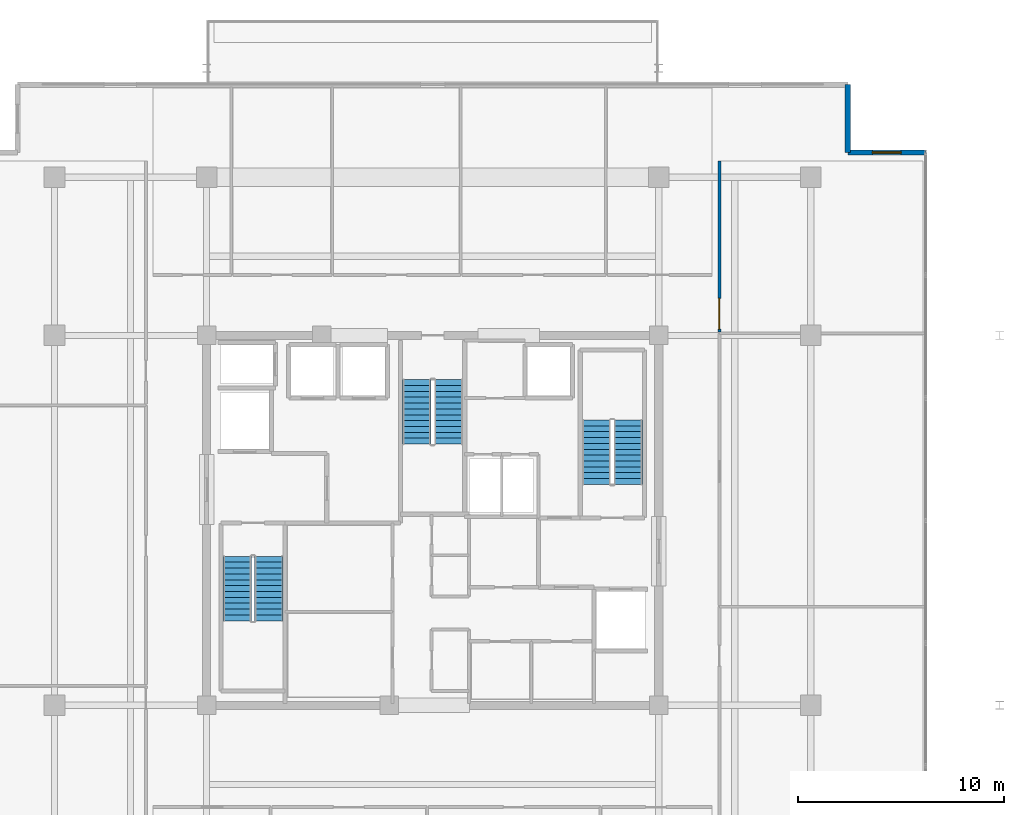
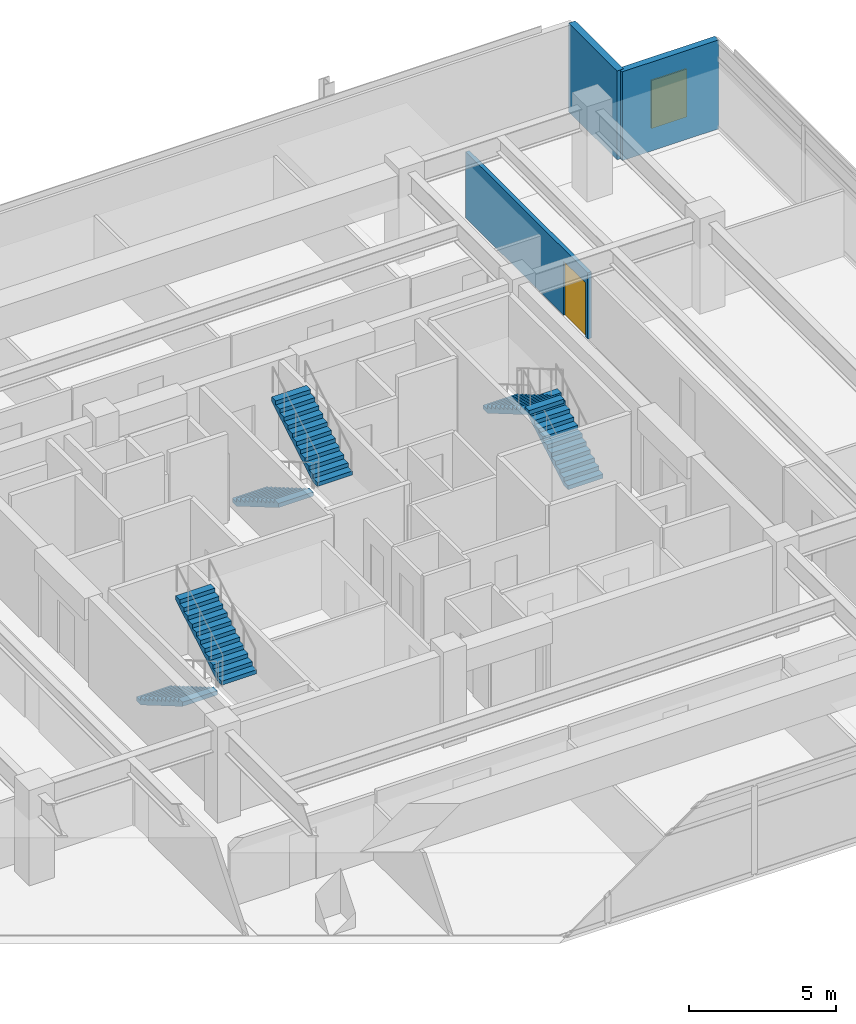
# One storey, part 14 of 18: 6 stair flights, 3 walls, 1 door, 1 window, 2 openings, 3 elements without a shape of their own.
"""IFC4 building model written with IfcOpenShell, lengths in metres."""

from ifc_helpers import new_model, si_unit, direction, frame, frame_2d, origin, place, context, subcontext, project, spatial, polyline, rectangle, outline, extrude, material, layer, layer_set, type_object, element, fill, aggregate, save


model = new_model("IFC4")

# Units and contexts
model_context = context("Model", 3, precision=1e-05, world=origin(), true_north=direction((0.0, 1.0)))
body_context = subcontext(model_context, "Body", "Model", "MODEL_VIEW")
ifc_project = project(units=[si_unit("LENGTHUNIT", "METRE"), si_unit("AREAUNIT", "SQUARE_METRE"), si_unit("VOLUMEUNIT", "CUBIC_METRE"), si_unit("PLANEANGLEUNIT", "RADIAN"), si_unit("MASSUNIT", "GRAM", prefix="KILO")], contexts=[model_context])

# Site, building, storey
site_placement = place(None, origin())
site = spatial("IfcSite", under=ifc_project, at=site_placement, CompositionType="ELEMENT")
building_placement = place(site_placement, origin())
building = spatial("IfcBuilding", under=site, at=building_placement, Name="Kovane Verandah Tower", CompositionType="ELEMENT")
storey_placement = place(building_placement, frame((0.0, 0.0, 338.800048828125)))
storey = spatial("IfcBuildingStorey", under=building, at=storey_placement, Name="L79", CompositionType="ELEMENT", Elevation=338.800048828125)

# Wall, opening, door
ifc_material_1 = material(Name="Fire-Rated Gypsum Stud Partition", Category="gypsum")
ifc_layer_1 = layer(ifc_material_1, 0.14990234375)
ifc_layer_set_1 = layer_set([ifc_layer_1], Name="Fire-Rated Gypsum Stud Partition")
wall_type_1 = type_object("IfcWallType", Name="WL-COR-150", PredefinedType="PARTITIONING", material=ifc_layer_set_1)
wall_1_placement = place(storey_placement, frame((53.949951171875, 36.669921875, 0.0), z_axis=(0.0, 0.0, 1.0), x_axis=(0.0, 1.0, 0.0)))
wall_1 = element("IfcWall", 1, at=wall_1_placement, inside=storey, type_object=wall_type_1, Name="L79 Client Boardroom E3 Corridor Partition", PredefinedType="PARTITIONING", context=body_context, shape_type="SweptSolid", body=[
    extrude(rectangle(XDim=8.330078125, YDim=0.14990234375, at=frame_2d((4.1650390625, 0.0))), origin(), (0.0, 0.0, 1.0), 2.75341796875),
])
opening_1_placement = place(wall_1_placement, frame((0.139892578125, 0.0, 0.0)))
opening_1 = element("IfcOpeningElement", 2, at=opening_1_placement, cuts=wall_1, Name="Opening DR-L79-013", PredefinedType="OPENING", context=body_context, shape_type="SweptSolid", body=[
    extrude(rectangle(XDim=1.5, YDim=2.25, at=frame_2d((0.75, 1.125))), frame((0.0, 0.074951171875, 0.0), z_axis=(0.0, -1.0, 0.0), x_axis=(1.0, 0.0, 0.0)), (0.0, 0.0, 1.0), 0.14990234375),
])
ifc_material_2 = material(Name="Glazed Timber Fire-Rated Double Door", Category="wood")
door_type = type_object("IfcDoorType", Name="DR-CONF-1500", OperationType="DOUBLE_DOOR_SINGLE_SWING", PredefinedType="DOOR", material=ifc_material_2)
door_placement = place(opening_1_placement, origin())
door = element("IfcDoor", 3, at=door_placement, inside=storey, type_object=door_type, Name="L79 Client Boardroom E3 Entrance Door", OperationType="DOUBLE_DOOR_SINGLE_SWING", OverallHeight=2.25, OverallWidth=1.5, PredefinedType="DOOR", context=body_context, shape_type="SweptSolid", body=[
    extrude(rectangle(XDim=1.5, YDim=2.25, at=frame_2d((0.75, 1.125))), frame((0.0, 0.02490234375, 0.0), z_axis=(0.0, -1.0, 0.0), x_axis=(1.0, 0.0, 0.0)), (0.0, 0.0, 1.0), 0.050048828125),
])
fill(opening_1, door)

# Wall, opening, window
ifc_material_3 = material(Name="Concrete C45/55 Insulated Spandrel Wall", Category="concrete")
ifc_layer_2 = layer(ifc_material_3, 0.260009765625)
ifc_layer_set_2 = layer_set([ifc_layer_2], Name="Concrete C45/55 Insulated Spandrel Wall")
wall_type_2 = type_object("IfcWallType", Name="WL-SPANDREL-260", PredefinedType="PARAPET", material=ifc_layer_set_2)
wall_2_placement = place(storey_placement, frame((64.0, 45.39990234375, 0.0), z_axis=(0.0, 0.0, 1.0), x_axis=(-1.0, 0.0, 0.0)))
wall_2 = element("IfcWall", 4, at=wall_2_placement, inside=storey, type_object=wall_type_2, Name="L79 NE Notch Cheek Wall 1", PredefinedType="PARAPET", context=body_context, shape_type="SweptSolid", body=[
    extrude(rectangle(XDim=3.800048828125, YDim=0.260009765625, at=frame_2d((1.89990234375, 0.0))), origin(), (0.0, 0.0, 1.0), 3.699951171875),
])
opening_2_placement = place(wall_2_placement, frame((1.199951171875, 0.0, 0.85009765625)))
opening_2 = element("IfcOpeningElement", 5, at=opening_2_placement, cuts=wall_2, Name="Opening W-01", PredefinedType="OPENING", context=body_context, shape_type="SweptSolid", body=[
    extrude(rectangle(XDim=1.39990234375, YDim=2.0, at=frame_2d((0.699951171875, 1.0))), frame((0.0, 0.1298828125, 0.0), z_axis=(0.0, -1.0, 0.0), x_axis=(1.0, 0.0, 0.0)), (0.0, 0.0, 1.0), 0.260009765625),
])
ifc_material_4 = material(Name="Clear Low-E Laminated Double Glazing in Anodised Frame", Category="glass")
window_type = type_object("IfcWindowType", Name="WN-OPER-1400x2000", PartitioningType="SINGLE_PANEL", PredefinedType="WINDOW", material=ifc_material_4)
window_placement = place(opening_2_placement, origin())
window = element("IfcWindow", 6, at=window_placement, inside=storey, type_object=window_type, Name="L79 NE Re-Entrant Corner Operable Window", OverallHeight=2.0, OverallWidth=1.39990234375, PartitioningType="SINGLE_PANEL", PredefinedType="WINDOW", context=body_context, shape_type="SweptSolid", body=[
    extrude(rectangle(XDim=1.39990234375, YDim=2.0, at=frame_2d((0.699951171875, 1.0))), frame((0.0, 0.030029296875, 0.0), z_axis=(0.0, -1.0, 0.0), x_axis=(1.0, 0.0, 0.0)), (0.0, 0.0, 1.0), 0.06005859375),
])
fill(opening_2, window)

# Wall
wall_3_placement = place(storey_placement, frame((60.199951171875, 45.39990234375, 0.0), z_axis=(0.0, 0.0, 1.0), x_axis=(0.0, 1.0, 0.0)))
element("IfcWall", 7, at=wall_3_placement, inside=storey, type_object=wall_type_2, Name="L79 NE Notch Cheek Wall 2", PredefinedType="PARAPET", context=body_context, shape_type="SweptSolid", body=[
    extrude(rectangle(XDim=3.300048828125, YDim=0.260009765625, at=frame_2d((1.64990234375, 0.0))), origin(), (0.0, 0.0, 1.0), 3.699951171875),
])

# Stair, stair flights
ifc_material_5 = material(Name="Concrete C45/55", Category="concrete")
stair_type = type_object("IfcStairType", Name="ST-CORE-1380", PredefinedType="HALF_TURN_STAIR", material=ifc_material_5)
stair_1_placement = place(storey_placement, origin())
stair_1 = element("IfcStair", 8, at=stair_1_placement, inside=storey, type_object=stair_type, Name="L79 Exit Stair ST-01", PredefinedType="HALF_TURN_STAIR")
stair_flight_type = type_object("IfcStairFlightType", Name="STF-CORE-1380", PredefinedType="STRAIGHT", material=ifc_material_5)
stair_flight_1_placement = place(storey_placement, frame((30.489990234375, 25.75, 0.0), z_axis=(0.0, 0.0, 1.0), x_axis=(0.0, -1.0, 0.0)))
stair_flight_1 = element("IfcStairFlight", 9, at=stair_flight_1_placement, type_object=stair_flight_type, Name="ST-01 flight 1", NumberOfRisers=12, NumberOfTreads=11, PredefinedType="STRAIGHT", RiserHeight=0.166666667, TreadLength=0.285, context=body_context, shape_type="SweptSolid", body=[
    extrude(outline(polyline([(0.0, 0.0), (0.0, 0.166748046875), (0.284912109375, 0.166748046875), (0.284912109375, 0.333251953125), (0.570068359375, 0.333251953125), (0.570068359375, 0.5), (0.85498046875, 0.5), (0.85498046875, 0.666748046875), (1.139892578125, 0.666748046875), (1.139892578125, 0.833251953125), (1.425048828125, 0.833251953125), (1.425048828125, 1.0), (1.7099609375, 1.0), (1.7099609375, 1.166748046875), (1.9951171875, 1.166748046875), (1.9951171875, 1.333251953125), (2.280029296875, 1.333251953125), (2.280029296875, 1.5), (2.56494140625, 1.5), (2.56494140625, 1.666748046875), (2.85009765625, 1.666748046875), (2.85009765625, 1.833251953125), (3.135009765625, 1.833251953125), (3.135009765625, 2.0), (3.135009765625, 1.65966796875), (0.296875, 0.0), (0.0, 0.0)])), frame((0.0, 0.68994140625, 0.0), z_axis=(0.0, -1.0, 0.0), x_axis=(1.0, 0.0, 0.0)), (0.0, 0.0, 1.0), 1.3798828125),
])
stair_flight_2_placement = place(storey_placement, frame((32.030029296875, 22.614990234375, 2.0), z_axis=(0.0, 0.0, 1.0), x_axis=(0.0, 1.0, 0.0)))
stair_flight_2 = element("IfcStairFlight", 10, at=stair_flight_2_placement, type_object=stair_flight_type, Name="ST-01 flight 2", NumberOfRisers=12, NumberOfTreads=11, PredefinedType="STRAIGHT", RiserHeight=0.166666667, TreadLength=0.285, context=body_context, shape_type="SweptSolid", body=[
    extrude(outline(polyline([(0.0, 0.0), (0.0, 0.166748046875), (0.284912109375, 0.166748046875), (0.284912109375, 0.333251953125), (0.570068359375, 0.333251953125), (0.570068359375, 0.5), (0.85498046875, 0.5), (0.85498046875, 0.666748046875), (1.139892578125, 0.666748046875), (1.139892578125, 0.833251953125), (1.425048828125, 0.833251953125), (1.425048828125, 1.0), (1.7099609375, 1.0), (1.7099609375, 1.166748046875), (1.9951171875, 1.166748046875), (1.9951171875, 1.333251953125), (2.280029296875, 1.333251953125), (2.280029296875, 1.5), (2.56494140625, 1.5), (2.56494140625, 1.666748046875), (2.85009765625, 1.666748046875), (2.85009765625, 1.833251953125), (3.135009765625, 1.833251953125), (3.135009765625, 2.0), (3.135009765625, 1.65966796875), (0.296875, 0.0), (0.0, 0.0)])), frame((0.0, 0.68994140625, 0.0), z_axis=(0.0, -1.0, 0.0), x_axis=(1.0, 0.0, 0.0)), (0.0, 0.0, 1.0), 1.3798828125),
])
aggregate(stair_1, [stair_flight_1, stair_flight_2])

stair_2_placement = place(storey_placement, origin())
stair_2 = element("IfcStair", 11, at=stair_2_placement, inside=storey, type_object=stair_type, Name="L79 Exit Stair ST-02", PredefinedType="HALF_TURN_STAIR")
stair_flight_3_placement = place(storey_placement, frame((49.510009765625, 29.25, 0.0), z_axis=(0.0, 0.0, 1.0), x_axis=(0.0, 1.0, 0.0)))
stair_flight_3 = element("IfcStairFlight", 12, at=stair_flight_3_placement, type_object=stair_flight_type, Name="ST-02 flight 1", NumberOfRisers=12, NumberOfTreads=11, PredefinedType="STRAIGHT", RiserHeight=0.166666667, TreadLength=0.285, context=body_context, shape_type="SweptSolid", body=[
    extrude(outline(polyline([(0.0, 0.0), (0.0, 0.166748046875), (0.284912109375, 0.166748046875), (0.284912109375, 0.333251953125), (0.570068359375, 0.333251953125), (0.570068359375, 0.5), (0.85498046875, 0.5), (0.85498046875, 0.666748046875), (1.139892578125, 0.666748046875), (1.139892578125, 0.833251953125), (1.425048828125, 0.833251953125), (1.425048828125, 1.0), (1.7099609375, 1.0), (1.7099609375, 1.166748046875), (1.9951171875, 1.166748046875), (1.9951171875, 1.333251953125), (2.280029296875, 1.333251953125), (2.280029296875, 1.5), (2.56494140625, 1.5), (2.56494140625, 1.666748046875), (2.85009765625, 1.666748046875), (2.85009765625, 1.833251953125), (3.135009765625, 1.833251953125), (3.135009765625, 2.0), (3.135009765625, 1.65966796875), (0.296875, 0.0), (0.0, 0.0)])), frame((0.0, 0.68994140625, 0.0), z_axis=(0.0, -1.0, 0.0), x_axis=(1.0, 0.0, 0.0)), (0.0, 0.0, 1.0), 1.3798828125),
])
stair_flight_4_placement = place(storey_placement, frame((47.969970703125, 32.385009765625, 2.0), z_axis=(0.0, 0.0, 1.0), x_axis=(0.0, -1.0, 0.0)))
stair_flight_4 = element("IfcStairFlight", 13, at=stair_flight_4_placement, type_object=stair_flight_type, Name="ST-02 flight 2", NumberOfRisers=12, NumberOfTreads=11, PredefinedType="STRAIGHT", RiserHeight=0.166666667, TreadLength=0.285, context=body_context, shape_type="SweptSolid", body=[
    extrude(outline(polyline([(0.0, 0.0), (0.0, 0.166748046875), (0.284912109375, 0.166748046875), (0.284912109375, 0.333251953125), (0.570068359375, 0.333251953125), (0.570068359375, 0.5), (0.85498046875, 0.5), (0.85498046875, 0.666748046875), (1.139892578125, 0.666748046875), (1.139892578125, 0.833251953125), (1.425048828125, 0.833251953125), (1.425048828125, 1.0), (1.7099609375, 1.0), (1.7099609375, 1.166748046875), (1.9951171875, 1.166748046875), (1.9951171875, 1.333251953125), (2.280029296875, 1.333251953125), (2.280029296875, 1.5), (2.56494140625, 1.5), (2.56494140625, 1.666748046875), (2.85009765625, 1.666748046875), (2.85009765625, 1.833251953125), (3.135009765625, 1.833251953125), (3.135009765625, 2.0), (3.135009765625, 1.65966796875), (0.296875, 0.0), (0.0, 0.0)])), frame((0.0, 0.68994140625, 0.0), z_axis=(0.0, -1.0, 0.0), x_axis=(1.0, 0.0, 0.0)), (0.0, 0.0, 1.0), 1.3798828125),
])
aggregate(stair_2, [stair_flight_3, stair_flight_4])

stair_3_placement = place(storey_placement, origin())
stair_3 = element("IfcStair", 14, at=stair_3_placement, inside=storey, type_object=stair_type, Name="L79 Exit Stair ST-03", PredefinedType="HALF_TURN_STAIR")
stair_flight_5_placement = place(storey_placement, frame((39.22998046875, 34.35009765625, 0.0), z_axis=(0.0, 0.0, 1.0), x_axis=(0.0, -1.0, 0.0)))
stair_flight_5 = element("IfcStairFlight", 15, at=stair_flight_5_placement, type_object=stair_flight_type, Name="ST-03 flight 1", NumberOfRisers=12, NumberOfTreads=11, PredefinedType="STRAIGHT", RiserHeight=0.166666667, TreadLength=0.285, context=body_context, shape_type="SweptSolid", body=[
    extrude(outline(polyline([(0.0, 0.0), (0.0, 0.166748046875), (0.284912109375, 0.166748046875), (0.284912109375, 0.333251953125), (0.570068359375, 0.333251953125), (0.570068359375, 0.5), (0.85498046875, 0.5), (0.85498046875, 0.666748046875), (1.139892578125, 0.666748046875), (1.139892578125, 0.833251953125), (1.425048828125, 0.833251953125), (1.425048828125, 1.0), (1.7099609375, 1.0), (1.7099609375, 1.166748046875), (1.9951171875, 1.166748046875), (1.9951171875, 1.333251953125), (2.280029296875, 1.333251953125), (2.280029296875, 1.5), (2.56494140625, 1.5), (2.56494140625, 1.666748046875), (2.85009765625, 1.666748046875), (2.85009765625, 1.833251953125), (3.135009765625, 1.833251953125), (3.135009765625, 2.0), (3.135009765625, 1.65966796875), (0.296875, 0.0), (0.0, 0.0)])), frame((0.0, 0.68994140625, 0.0), z_axis=(0.0, -1.0, 0.0), x_axis=(1.0, 0.0, 0.0)), (0.0, 0.0, 1.0), 1.3798828125),
])
stair_flight_6_placement = place(storey_placement, frame((40.77001953125, 31.215087890625, 2.0), z_axis=(0.0, 0.0, 1.0), x_axis=(0.0, 1.0, 0.0)))
stair_flight_6 = element("IfcStairFlight", 16, at=stair_flight_6_placement, type_object=stair_flight_type, Name="ST-03 flight 2", NumberOfRisers=12, NumberOfTreads=11, PredefinedType="STRAIGHT", RiserHeight=0.166666667, TreadLength=0.285, context=body_context, shape_type="SweptSolid", body=[
    extrude(outline(polyline([(0.0, 0.0), (0.0, 0.166748046875), (0.284912109375, 0.166748046875), (0.284912109375, 0.333251953125), (0.570068359375, 0.333251953125), (0.570068359375, 0.5), (0.85498046875, 0.5), (0.85498046875, 0.666748046875), (1.139892578125, 0.666748046875), (1.139892578125, 0.833251953125), (1.425048828125, 0.833251953125), (1.425048828125, 1.0), (1.7099609375, 1.0), (1.7099609375, 1.166748046875), (1.9951171875, 1.166748046875), (1.9951171875, 1.333251953125), (2.280029296875, 1.333251953125), (2.280029296875, 1.5), (2.56494140625, 1.5), (2.56494140625, 1.666748046875), (2.85009765625, 1.666748046875), (2.85009765625, 1.833251953125), (3.135009765625, 1.833251953125), (3.135009765625, 2.0), (3.135009765625, 1.65966796875), (0.296875, 0.0), (0.0, 0.0)])), frame((0.0, 0.68994140625, 0.0), z_axis=(0.0, -1.0, 0.0), x_axis=(1.0, 0.0, 0.0)), (0.0, 0.0, 1.0), 1.3798828125),
])
aggregate(stair_3, [stair_flight_5, stair_flight_6])

save(model, "model.ifc")
